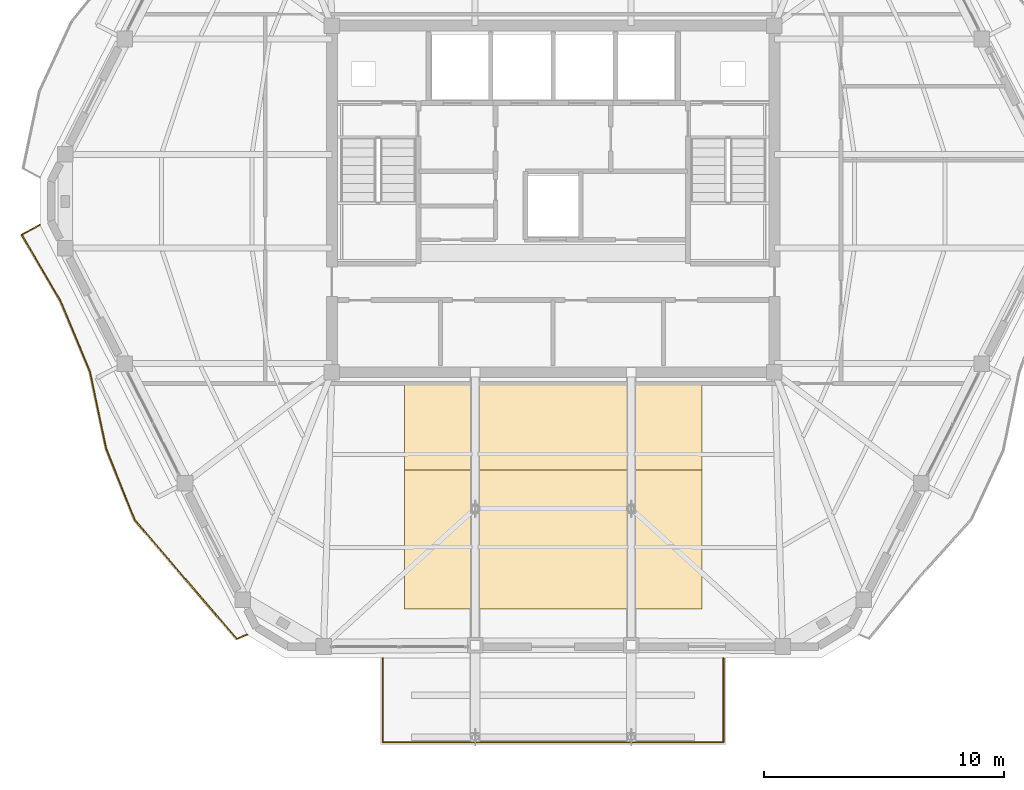
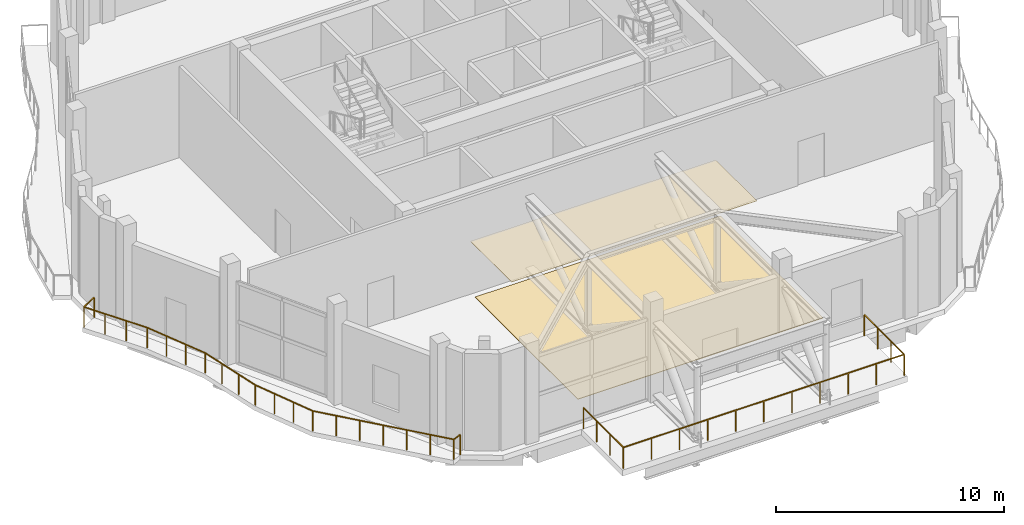
# One storey, part 21 of 23: 2 coverings, 2 railings.
"""IFC4 building model written with IfcOpenShell, lengths in metres."""

from ifc_helpers import new_model, si_unit, direction, frame, origin, origin_2d, place, context, subcontext, project, spatial, polyline, rectangle, outline, extrude, material, layer, layer_set, type_object, element, save


model = new_model("IFC4")

# Units and contexts
model_context = context("Model", 3, precision=1e-05, world=origin(), true_north=direction((0.0, 1.0)))
body_context = subcontext(model_context, "Body", "Model", "MODEL_VIEW")
ifc_project = project(units=[si_unit("LENGTHUNIT", "METRE"), si_unit("AREAUNIT", "SQUARE_METRE"), si_unit("VOLUMEUNIT", "CUBIC_METRE"), si_unit("PLANEANGLEUNIT", "RADIAN"), si_unit("MASSUNIT", "GRAM", prefix="KILO")], contexts=[model_context])

# Site, building, storey
site_placement = place(None, origin())
site = spatial("IfcSite", under=ifc_project, at=site_placement, CompositionType="ELEMENT")
building_placement = place(site_placement, origin())
building = spatial("IfcBuilding", under=site, at=building_placement, Name="Cinnabar Lancet Tower", CompositionType="ELEMENT")
storey_placement = place(building_placement, frame((0.0, 0.0, 278.10009765625)))
storey = spatial("IfcBuildingStorey", under=building, at=storey_placement, Name="L74", CompositionType="ELEMENT", Elevation=278.10009765625)

# Coverings
ifc_material_1 = material(Name="Mineral-fibre acoustic suspended ceiling tile", Category="finish")
ifc_layer_1 = layer(ifc_material_1, 0.02197265625)
ifc_layer_set_1 = layer_set([ifc_layer_1], Name="Mineral-fibre acoustic suspended ceiling tile")
covering_type_1 = type_object("IfcCoveringType", Name="ARC-COV-CEIL-MIN", PredefinedType="CEILING", material=ifc_layer_set_1)
covering_1_placement = place(storey_placement, frame((0.0, 0.0, 2.75)))
element("IfcCovering", 1, at=covering_1_placement, inside=storey, type_object=covering_type_1, Name="L74 Suspended Acoustic Ceiling", PredefinedType="CEILING", context=body_context, shape_type="SweptSolid", body=[
    extrude(outline(polyline([(26.199951171875, 14.60009765625), (38.60009765625, 14.60009765625), (38.60009765625, 18.199951171875), (26.199951171875, 18.199951171875), (26.199951171875, 14.60009765625)])), origin(), (0.0, 0.0, 1.0), 0.02197265625),
])
ifc_material_2 = material(Name="Honed Malaysian granite stone flooring", Category="masonry")
ifc_layer_2 = layer(ifc_material_2, 0.030029296875)
ifc_layer_set_2 = layer_set([ifc_layer_2], Name="Honed Malaysian granite stone flooring")
covering_type_2 = type_object("IfcCoveringType", Name="ARC-COV-FLR-STN", PredefinedType="FLOORING", material=ifc_layer_set_2)
covering_2_placement = place(storey_placement, origin())
element("IfcCovering", 2, at=covering_2_placement, inside=storey, type_object=covering_type_2, Name="L74 Architectural Floor Finish", PredefinedType="FLOORING", context=body_context, shape_type="SweptSolid", body=[
    extrude(outline(polyline([(26.199951171875, 8.800048828125), (38.60009765625, 8.800048828125), (38.60009765625, 17.800048828125), (26.199951171875, 17.800048828125), (26.199951171875, 8.800048828125)])), origin(), (0.0, 0.0, 1.0), 0.02978515625),
])

# Railings
ifc_material_3 = material(Name="Laminated safety glass and bronze stainless steel balustrade", Category="steel")
railing_type_1 = type_object("IfcRailingType", Name="ENV-RLG-BAL-1100", PredefinedType="BALUSTRADE", material=ifc_material_3)
railing_1_placement = place(storey_placement, frame((10.9970703125, 24.818115234375, 0.0)))
element("IfcRailing", 3, at=railing_1_placement, inside=storey, type_object=railing_type_1, Name="L74 Face 6 Wave Balcony Balustrade", PredefinedType="BALUSTRADE", context=body_context, shape_type="SweptSolid", body=[
    extrude(rectangle(XDim=0.048095703125, YDim=0.048095703125, at=origin_2d()), frame((0.0, 0.0, 1.076171875), z_axis=(-0.876831685223, -0.480797458176, 0.0), x_axis=(0.480797458176, -0.876831685223, 0.0)), (0.0, 0.0, 1.0), 0.861083984375),
    extrude(rectangle(XDim=0.048095703125, YDim=0.048095703125, at=origin_2d()), frame((-0.755126953125, -0.4140625, 1.076171875), z_axis=(0.505717534151, -0.86269912232, 0.0), x_axis=(0.86269912232, 0.505717534151, 0.0)), (0.0, 0.0, 1.0), 3.187744140625),
    extrude(rectangle(XDim=0.048095703125, YDim=0.048095703125, at=origin_2d()), frame((0.85693359375, -3.1640625, 1.076171875), z_axis=(0.38596842307, -0.922511992547, 0.0), x_axis=(0.922511992547, 0.38596842307, 0.0)), (0.0, 0.0, 1.0), 3.189208984375),
    extrude(rectangle(XDim=0.048095703125, YDim=0.048095703125, at=origin_2d()), frame((2.087890625, -6.106201171875, 1.076171875), z_axis=(0.205692709472, -0.978616630387, 0.0), x_axis=(0.978616630387, 0.205692709472, 0.0)), (0.0, 0.0, 1.0), 3.291259765625),
    extrude(rectangle(XDim=0.048095703125, YDim=0.048095703125, at=origin_2d()), frame((2.764892578125, -9.3271484375, 1.076171875), z_axis=(0.371654249701, -0.928371218145, 0.0), x_axis=(0.928371218145, 0.371654249701, 0.0)), (0.0, 0.0, 1.0), 3.19384765625),
    extrude(rectangle(XDim=0.048095703125, YDim=0.048095703125, at=origin_2d()), frame((3.951904296875, -12.292236328125, 1.076171875), z_axis=(0.649685239665, -0.760203321068, 0.0), x_axis=(0.760203321068, 0.649685239665, 0.0)), (0.0, 0.0, 1.0), 3.27392578125),
    extrude(rectangle(XDim=0.048095703125, YDim=0.048095703125, at=origin_2d()), frame((6.078857421875, -14.781005859375, 1.076171875), z_axis=(0.652360350396, -0.75790894785, 0.0), x_axis=(0.75790894785, 0.652360350396, 0.0)), (0.0, 0.0, 1.0), 3.277587890625),
    extrude(rectangle(XDim=0.048095703125, YDim=0.048095703125, at=origin_2d()), frame((8.217041015625, -17.26513671875, 1.076171875), z_axis=(0.921565572984, 0.388222738504, 0.0), x_axis=(-0.388222738504, 0.921565572984, 0.0)), (0.0, 0.0, 1.0), 0.4609375),
    extrude(rectangle(XDim=0.0419921875, YDim=0.0419921875, at=origin_2d()), origin(), (0.0, 0.0, 1.0), 1.052001953125),
    extrude(rectangle(XDim=0.0419921875, YDim=0.0419921875, at=origin_2d()), frame((-0.755126953125, -0.4140625, 0.0)), (0.0, 0.0, 1.0), 1.052001953125),
    extrude(rectangle(XDim=0.0419921875, YDim=0.0419921875, at=origin_2d()), frame((-0.2177734375, -1.330810546875, 0.0)), (0.0, 0.0, 1.0), 1.052001953125),
    extrude(rectangle(XDim=0.0419921875, YDim=0.0419921875, at=origin_2d()), frame((0.319580078125, -2.247314453125, 0.0)), (0.0, 0.0, 1.0), 1.052001953125),
    extrude(rectangle(XDim=0.0419921875, YDim=0.0419921875, at=origin_2d()), frame((0.85693359375, -3.1640625, 0.0)), (0.0, 0.0, 1.0), 1.052001953125),
    extrude(rectangle(XDim=0.0419921875, YDim=0.0419921875, at=origin_2d()), frame((1.267333984375, -4.144775390625, 0.0)), (0.0, 0.0, 1.0), 1.052001953125),
    extrude(rectangle(XDim=0.0419921875, YDim=0.0419921875, at=origin_2d()), frame((1.677490234375, -5.12548828125, 0.0)), (0.0, 0.0, 1.0), 1.052001953125),
    extrude(rectangle(XDim=0.0419921875, YDim=0.0419921875, at=origin_2d()), frame((2.087890625, -6.106201171875, 0.0)), (0.0, 0.0, 1.0), 1.052001953125),
    extrude(rectangle(XDim=0.0419921875, YDim=0.0419921875, at=origin_2d()), frame((2.3134765625, -7.179931640625, 0.0)), (0.0, 0.0, 1.0), 1.052001953125),
    extrude(rectangle(XDim=0.0419921875, YDim=0.0419921875, at=origin_2d()), frame((2.539306640625, -8.25341796875, 0.0)), (0.0, 0.0, 1.0), 1.052001953125),
    extrude(rectangle(XDim=0.0419921875, YDim=0.0419921875, at=origin_2d()), frame((2.764892578125, -9.3271484375, 0.0)), (0.0, 0.0, 1.0), 1.052001953125),
    extrude(rectangle(XDim=0.0419921875, YDim=0.0419921875, at=origin_2d()), frame((3.16064453125, -10.3154296875, 0.0)), (0.0, 0.0, 1.0), 1.052001953125),
    extrude(rectangle(XDim=0.0419921875, YDim=0.0419921875, at=origin_2d()), frame((3.55615234375, -11.303955078125, 0.0)), (0.0, 0.0, 1.0), 1.052001953125),
    extrude(rectangle(XDim=0.0419921875, YDim=0.0419921875, at=origin_2d()), frame((3.951904296875, -12.292236328125, 0.0)), (0.0, 0.0, 1.0), 1.052001953125),
    extrude(rectangle(XDim=0.0419921875, YDim=0.0419921875, at=origin_2d()), frame((4.660888671875, -13.121826171875, 0.0)), (0.0, 0.0, 1.0), 1.052001953125),
    extrude(rectangle(XDim=0.0419921875, YDim=0.0419921875, at=origin_2d()), frame((5.369873046875, -13.951416015625, 0.0)), (0.0, 0.0, 1.0), 1.052001953125),
    extrude(rectangle(XDim=0.0419921875, YDim=0.0419921875, at=origin_2d()), frame((6.078857421875, -14.781005859375, 0.0)), (0.0, 0.0, 1.0), 1.052001953125),
    extrude(rectangle(XDim=0.0419921875, YDim=0.0419921875, at=origin_2d()), frame((6.79150390625, -15.609130859375, 0.0)), (0.0, 0.0, 1.0), 1.052001953125),
    extrude(rectangle(XDim=0.0419921875, YDim=0.0419921875, at=origin_2d()), frame((7.50439453125, -16.43701171875, 0.0)), (0.0, 0.0, 1.0), 1.052001953125),
    extrude(rectangle(XDim=0.0419921875, YDim=0.0419921875, at=origin_2d()), frame((8.217041015625, -17.26513671875, 0.0)), (0.0, 0.0, 1.0), 1.052001953125),
    extrude(rectangle(XDim=0.0419921875, YDim=0.0419921875, at=origin_2d()), frame((8.641845703125, -17.086181640625, 0.0)), (0.0, 0.0, 1.0), 1.052001953125),
])
ifc_material_4 = material(Name="Structural laminated glass sky-pool perimeter balustrade", Category="glass")
railing_type_2 = type_object("IfcRailingType", Name="ENV-RLG-POOL-1150", PredefinedType="BALUSTRADE", material=ifc_material_4)
railing_2_placement = place(storey_placement, frame((25.300048828125, 6.75, 0.0)))
element("IfcRailing", 4, at=railing_2_placement, inside=storey, type_object=railing_type_2, Name="L74 Cantilevered Sky-Pool Glass Balustrade", PredefinedType="BALUSTRADE", context=body_context, shape_type="SweptSolid", body=[
    extrude(rectangle(XDim=0.048095703125, YDim=0.048095703125, at=origin_2d()), frame((0.0, 0.0, 1.1259765625), z_axis=(0.0, -1.0, 0.0), x_axis=(1.0, 0.0, 0.0)), (0.0, 0.0, 1.0), 3.5),
    extrude(rectangle(XDim=0.048095703125, YDim=0.048095703125, at=origin_2d()), frame((0.0, -3.5, 1.1259765625), z_axis=(1.0, 0.0, 0.0), x_axis=(0.0, 1.0, 0.0)), (0.0, 0.0, 1.0), 14.199951171875),
    extrude(rectangle(XDim=0.048095703125, YDim=0.048095703125, at=origin_2d()), frame((14.199951171875, -3.5, 1.1259765625), z_axis=(0.0, 1.0, 0.0), x_axis=(-1.0, 0.0, 0.0)), (0.0, 0.0, 1.0), 3.5),
    extrude(rectangle(XDim=0.0419921875, YDim=0.0419921875, at=origin_2d()), origin(), (0.0, 0.0, 1.0), 1.101806640625),
    extrude(rectangle(XDim=0.0419921875, YDim=0.0419921875, at=origin_2d()), frame((0.0, -1.166748046875, 0.0)), (0.0, 0.0, 1.0), 1.101806640625),
    extrude(rectangle(XDim=0.0419921875, YDim=0.0419921875, at=origin_2d()), frame((0.0, -2.333251953125, 0.0)), (0.0, 0.0, 1.0), 1.101806640625),
    extrude(rectangle(XDim=0.0419921875, YDim=0.0419921875, at=origin_2d()), frame((0.0, -3.5, 0.0)), (0.0, 0.0, 1.0), 1.101806640625),
    extrude(rectangle(XDim=0.0419921875, YDim=0.0419921875, at=origin_2d()), frame((1.419921875, -3.5, 0.0)), (0.0, 0.0, 1.0), 1.101806640625),
    extrude(rectangle(XDim=0.0419921875, YDim=0.0419921875, at=origin_2d()), frame((2.840087890625, -3.5, 0.0)), (0.0, 0.0, 1.0), 1.101806640625),
    extrude(rectangle(XDim=0.0419921875, YDim=0.0419921875, at=origin_2d()), frame((4.260009765625, -3.5, 0.0)), (0.0, 0.0, 1.0), 1.101806640625),
    extrude(rectangle(XDim=0.0419921875, YDim=0.0419921875, at=origin_2d()), frame((5.679931640625, -3.5, 0.0)), (0.0, 0.0, 1.0), 1.101806640625),
    extrude(rectangle(XDim=0.0419921875, YDim=0.0419921875, at=origin_2d()), frame((7.10009765625, -3.5, 0.0)), (0.0, 0.0, 1.0), 1.101806640625),
    extrude(rectangle(XDim=0.0419921875, YDim=0.0419921875, at=origin_2d()), frame((8.52001953125, -3.5, 0.0)), (0.0, 0.0, 1.0), 1.101806640625),
    extrude(rectangle(XDim=0.0419921875, YDim=0.0419921875, at=origin_2d()), frame((9.93994140625, -3.5, 0.0)), (0.0, 0.0, 1.0), 1.101806640625),
    extrude(rectangle(XDim=0.0419921875, YDim=0.0419921875, at=origin_2d()), frame((11.35986328125, -3.5, 0.0)), (0.0, 0.0, 1.0), 1.101806640625),
    extrude(rectangle(XDim=0.0419921875, YDim=0.0419921875, at=origin_2d()), frame((12.780029296875, -3.5, 0.0)), (0.0, 0.0, 1.0), 1.101806640625),
    extrude(rectangle(XDim=0.0419921875, YDim=0.0419921875, at=origin_2d()), frame((14.199951171875, -3.5, 0.0)), (0.0, 0.0, 1.0), 1.101806640625),
    extrude(rectangle(XDim=0.0419921875, YDim=0.0419921875, at=origin_2d()), frame((14.199951171875, -2.333251953125, 0.0)), (0.0, 0.0, 1.0), 1.101806640625),
    extrude(rectangle(XDim=0.0419921875, YDim=0.0419921875, at=origin_2d()), frame((14.199951171875, -1.166748046875, 0.0)), (0.0, 0.0, 1.0), 1.101806640625),
    extrude(rectangle(XDim=0.0419921875, YDim=0.0419921875, at=origin_2d()), frame((14.199951171875, 0.0, 0.0)), (0.0, 0.0, 1.0), 1.101806640625),
])

save(model, "model.ifc")
